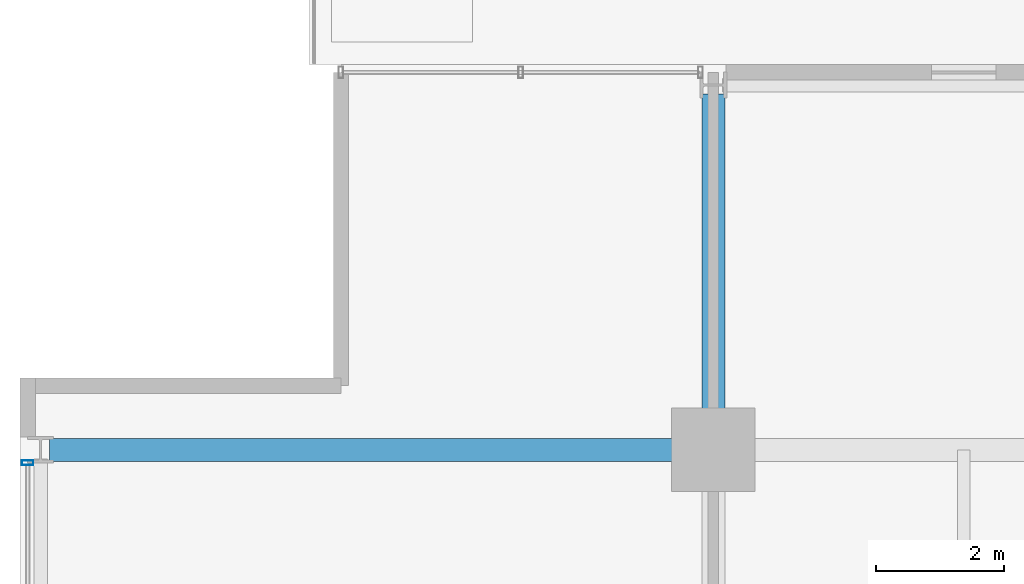
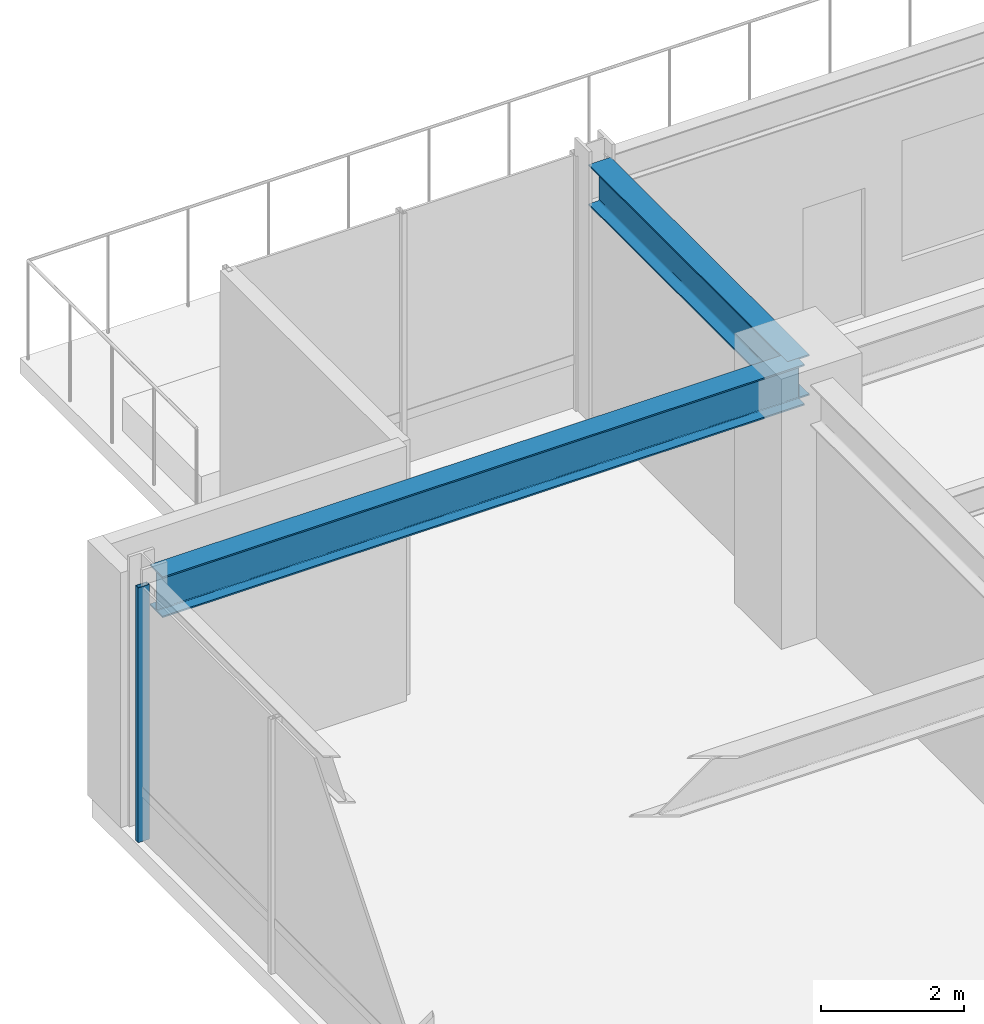
# One storey, part 19 of 32: 2 beams, 1 member, 1 element without a shape of its own.
"""IFC4 building model written with IfcOpenShell, lengths in metres."""

from ifc_helpers import new_model, si_unit, direction, frame, origin, origin_2d, place, context, subcontext, project, spatial, hollow_rectangle, i_section, extrude, material, layer, layer_set, material_profile, profile_set, type_object, element, aggregate, save


model = new_model("IFC4")

# Units and contexts
model_context = context("Model", 3, precision=1e-05, world=origin(), true_north=direction((0.0, 1.0)))
body_context = subcontext(model_context, "Body", "Model", "MODEL_VIEW")
ifc_project = project(units=[si_unit("LENGTHUNIT", "METRE"), si_unit("AREAUNIT", "SQUARE_METRE"), si_unit("VOLUMEUNIT", "CUBIC_METRE"), si_unit("PLANEANGLEUNIT", "RADIAN"), si_unit("MASSUNIT", "GRAM", prefix="KILO")], contexts=[model_context])

# Site, building, storey
site_placement = place(None, origin())
site = spatial("IfcSite", under=ifc_project, at=site_placement, CompositionType="ELEMENT")
building_placement = place(site_placement, origin())
building = spatial("IfcBuilding", under=site, at=building_placement, Name="Drelvath Grand Hotel", CompositionType="ELEMENT")
storey_placement = place(building_placement, frame((0.0, 0.0, 145.800048828125)))
storey = spatial("IfcBuildingStorey", under=building, at=storey_placement, Name="L37", CompositionType="ELEMENT", Elevation=145.800048828125)

# Curtain wall, member
ifc_material_1 = material(Name="Brushed Pale-Silver Anodised Aluminium Frame", Category="aluminium")
ifc_layer = layer(ifc_material_1, 0.199951171875)
ifc_layer_set = layer_set([ifc_layer], Name="Brushed Pale-Silver Anodised Aluminium Frame")
curtain_wall_type = type_object("IfcCurtainWallType", Name="Stick Curtain Wall CW-04 Brushed Silver Upper-Mid", PredefinedType="NOTDEFINED", material=ifc_layer_set)
curtain_wall_placement = place(storey_placement, origin())
curtain_wall = element("IfcCurtainWall", 1, at=curtain_wall_placement, inside=storey, type_object=curtain_wall_type, Name="L37 CW-04 Curtain Wall CW04-L37-WN2", PredefinedType="NOTDEFINED")
ifc_material_profile_1 = material_profile(ifc_material_1, hollow_rectangle(XDim=0.074951171875, YDim=0.179931640625, WallThickness=0.0048828125, at=origin_2d()), Name="HSS180X75X5")
ifc_profile_set_1 = profile_set([ifc_material_profile_1], Name="Brushed Pale-Silver Anodised Aluminium Frame")
member_type = type_object("IfcMemberType", Name="Curtain Wall Vertical Mullion CW-04 HSS180X75X5", PredefinedType="MULLION", material=ifc_profile_set_1)
member_placement = place(storey_placement, frame((-26.8798828125, 43.0, 0.0), z_axis=(0.0, 0.0, 1.0), x_axis=(0.0, 1.0, 0.0)))
member = element("IfcMember", 2, at=member_placement, type_object=member_type, Name="CW04-L37-WN2 Mullion 3", PredefinedType="MULLION", context=body_context, shape_type="SweptSolid", body=[
    extrude(hollow_rectangle(XDim=0.074951171875, YDim=0.179931640625, WallThickness=0.0048828125, at=origin_2d()), origin(), (0.0, 0.0, 1.0), 4.33984375),
])
aggregate(curtain_wall, [member])

# Beams
ifc_material_2 = material(Name="Steel ASTM A992 Gr 50", Category="steel")
ifc_material_profile_2 = material_profile(ifc_material_2, i_section(OverallWidth=0.354736328125, OverallDepth=0.695556640625, WebThickness=0.015380859375, FlangeThickness=0.025146484375, FilletRadius=0.02392578125, at=origin_2d()), Name="W27X146")
ifc_profile_set_2 = profile_set([ifc_material_profile_2], Name="Steel ASTM A992 Gr 50")
beam_type = type_object("IfcBeamType", Name="Primary Floor Girder W27X146", PredefinedType="BEAM", material=ifc_profile_set_2)
beam_1_placement = place(storey_placement, frame((-26.5400390625, 43.199951171875, 3.9921875), z_axis=(1.0, 0.0, 0.0), x_axis=(0.0, 1.0, 0.0)))
element("IfcBeam", 3, at=beam_1_placement, inside=storey, type_object=beam_type, Name="L37 West Grid Girder G", PredefinedType="BEAM", context=body_context, shape_type="SweptSolid", body=[
    extrude(i_section(OverallWidth=0.354736328125, OverallDepth=0.695556640625, WebThickness=0.015380859375, FlangeThickness=0.025146484375, FilletRadius=0.02392578125, at=origin_2d()), origin(), (0.0, 0.0, 1.0), 10.340087890625),
])
beam_2_placement = place(storey_placement, frame((-16.199951171875, 43.199951171875, 3.9921875), z_axis=(0.0, 1.0, 0.0), x_axis=(-1.0, 0.0, 0.0)))
element("IfcBeam", 4, at=beam_2_placement, inside=storey, type_object=beam_type, Name="L37 North Grid Girder 3", PredefinedType="BEAM", context=body_context, shape_type="SweptSolid", body=[
    extrude(i_section(OverallWidth=0.354736328125, OverallDepth=0.695556640625, WebThickness=0.015380859375, FlangeThickness=0.025146484375, FilletRadius=0.02392578125, at=origin_2d()), origin(), (0.0, 0.0, 1.0), 5.5400390625),
])

save(model, "model.ifc")
